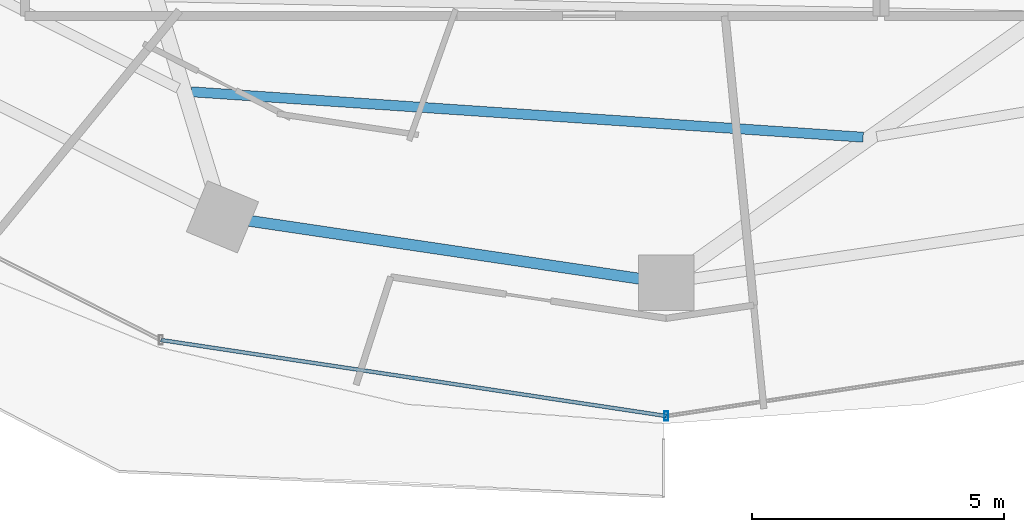
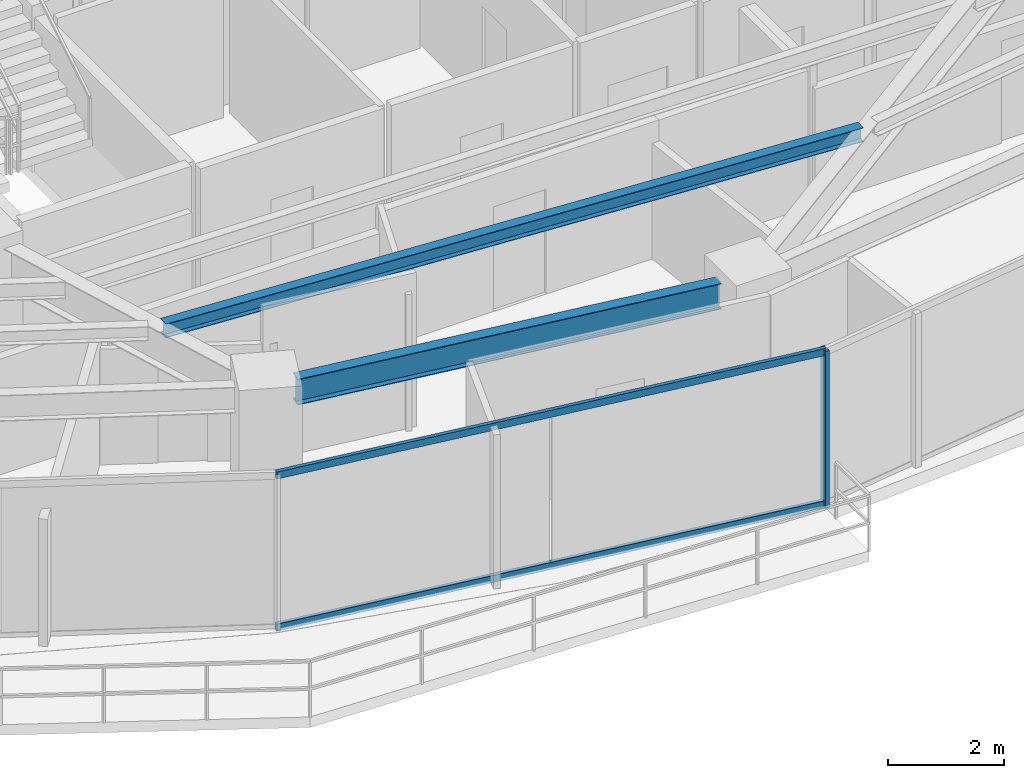
# One storey, part 5 of 29: 3 members, 2 beams, 1 element without a shape of its own.
"""IFC4 building model written with IfcOpenShell, lengths in metres."""

from ifc_helpers import new_model, si_unit, direction, frame, origin, origin_2d, place, context, subcontext, project, spatial, hollow_rectangle, i_section, extrude, material, material_profile, profile_set, type_object, element, aggregate, save


model = new_model("IFC4")

# Units and contexts
model_context = context("Model", 3, precision=1e-05, world=origin(), true_north=direction((0.0, 1.0)))
body_context = subcontext(model_context, "Body", "Model", "MODEL_VIEW")
ifc_project = project(units=[si_unit("LENGTHUNIT", "METRE"), si_unit("AREAUNIT", "SQUARE_METRE"), si_unit("VOLUMEUNIT", "CUBIC_METRE"), si_unit("PLANEANGLEUNIT", "RADIAN"), si_unit("MASSUNIT", "GRAM", prefix="KILO")], contexts=[model_context])

# Site, building, storey
site_placement = place(None, origin())
site = spatial("IfcSite", under=ifc_project, at=site_placement, CompositionType="ELEMENT")
building_placement = place(site_placement, origin())
building = spatial("IfcBuilding", under=site, at=building_placement, Name="Vorneva Point Tower", CompositionType="ELEMENT")
storey_placement = place(building_placement, frame((0.0, 0.0, 117.300048828125)))
storey = spatial("IfcBuildingStorey", under=building, at=storey_placement, Name="L31", CompositionType="ELEMENT", Elevation=117.300048828125)

# Beams
ifc_material_1 = material(Name="Steel S355", Category="steel")
ifc_material_profile_1 = material_profile(ifc_material_1, i_section(OverallWidth=0.199951171875, OverallDepth=0.291015625, WebThickness=0.008056640625, FlangeThickness=0.010986328125, at=origin_2d()), Name="30Sh1")
ifc_profile_set_1 = profile_set([ifc_material_profile_1], Name="Steel S355")
beam_type_1 = type_object("IfcBeamType", Name="BM-SEC-30Sh1", PredefinedType="BEAM", material=ifc_profile_set_1)
beam_1_placement = place(storey_placement, frame((28.5576171875, 12.594970703125, 3.094482421875), z_axis=(0.997721682044, -0.067464399347, 0.0), x_axis=(0.067464399347, 0.997721682044, 0.0)))
element("IfcBeam", 1, at=beam_1_placement, inside=storey, type_object=beam_type_1, Name="L31 Secondary Floor Beam 1.12", PredefinedType="BEAM", context=body_context, shape_type="SweptSolid", body=[
    extrude(i_section(OverallWidth=0.199951171875, OverallDepth=0.291015625, WebThickness=0.008056640625, FlangeThickness=0.010986328125, at=origin_2d()), origin(), (0.0, 0.0, 1.0), 13.385986328125),
])
ifc_material_profile_2 = material_profile(ifc_material_1, i_section(OverallWidth=0.219970703125, OverallDepth=0.54296875, WebThickness=0.009521484375, FlangeThickness=0.013427734375, at=origin_2d()), Name="55B1")
ifc_profile_set_2 = profile_set([ifc_material_profile_2], Name="Steel S355")
beam_type_2 = type_object("IfcBeamType", Name="BM-SPN-55B1", PredefinedType="SPANDREL", material=ifc_profile_set_2)
beam_2_placement = place(storey_placement, frame((29.708251953125, 10.03076171875, 2.968505859375), z_axis=(0.989164507783, -0.146811363806, 0.0), x_axis=(0.146811363806, 0.989164507783, 0.0)))
element("IfcBeam", 2, at=beam_2_placement, inside=storey, type_object=beam_type_2, Name="L31 Perimeter Spandrel Ring Beam 12", PredefinedType="SPANDREL", context=body_context, shape_type="SweptSolid", body=[
    extrude(i_section(OverallWidth=0.219970703125, OverallDepth=0.54296875, WebThickness=0.009521484375, FlangeThickness=0.013427734375, at=origin_2d()), origin(), (0.0, 0.0, 1.0), 7.847412109375),
])

# Curtain wall, members
ifc_material_2 = material(Name="Pale anodised aluminium", Category="aluminium")
curtain_wall_type = type_object("IfcCurtainWallType", Name="CW-HTL-SYS", PredefinedType="NOTDEFINED", material=ifc_material_2)
curtain_wall_placement = place(storey_placement, origin())
curtain_wall = element("IfcCurtainWall", 3, at=curtain_wall_placement, inside=storey, type_object=curtain_wall_type, Name="L31 Unitised Curtain Wall CW-L31-R03", PredefinedType="NOTDEFINED")
ifc_material_profile_3 = material_profile(ifc_material_2, hollow_rectangle(XDim=0.074951171875, YDim=0.179931640625, WallThickness=0.00390625, at=origin_2d()), Name="AL-MUL 180x75x4")
ifc_profile_set_3 = profile_set([ifc_material_profile_3], Name="Pale anodised aluminium")
member_type_1 = type_object("IfcMemberType", Name="CW-MUL-180", PredefinedType="MULLION", material=ifc_profile_set_3)
member_1_placement = place(storey_placement, frame((38.0, 6.14990234375, -0.0400390625), z_axis=(0.0, 0.0, 1.0), x_axis=(1.0, 0.0, 0.0)))
member_1 = element("IfcMember", 4, at=member_1_placement, type_object=member_type_1, Name="CW-L31-R03 Mullion 03", PredefinedType="MULLION", context=body_context, shape_type="SweptSolid", body=[
    extrude(hollow_rectangle(XDim=0.074951171875, YDim=0.179931640625, WallThickness=0.00390625, at=origin_2d()), origin(), (0.0, 0.0, 1.0), 3.31005859375),
])
ifc_material_profile_4 = material_profile(ifc_material_2, hollow_rectangle(XDim=0.074951171875, YDim=0.14990234375, WallThickness=0.00390625, at=origin_2d()), Name="AL-TRN 150x75x4")
ifc_profile_set_4 = profile_set([ifc_material_profile_4], Name="Pale anodised aluminium")
member_type_2 = type_object("IfcMemberType", Name="CW-TRN-150", PredefinedType="USERDEFINED", material=ifc_profile_set_4)
member_2_placement = place(storey_placement, frame((27.95458984375, 7.660888671875, 0.02001953125), z_axis=(0.988875982167, -0.148742367512, 0.0), x_axis=(0.148742367512, 0.988875982167, 0.0)))
member_2 = element("IfcMember", 5, at=member_2_placement, type_object=member_type_2, Name="CW-L31-R03 Transom 02.1", ObjectType="TRANSOM", PredefinedType="USERDEFINED", context=body_context, shape_type="SweptSolid", body=[
    extrude(hollow_rectangle(XDim=0.074951171875, YDim=0.14990234375, WallThickness=0.00390625, at=origin_2d()), origin(), (0.0, 0.0, 1.0), 10.158447265625),
])
member_3_placement = place(storey_placement, frame((27.95458984375, 7.660888671875, 3.219970703125), z_axis=(0.988875982167, -0.148742367512, 0.0), x_axis=(0.148742367512, 0.988875982167, 0.0)))
member_3 = element("IfcMember", 6, at=member_3_placement, type_object=member_type_2, Name="CW-L31-R03 Transom 02.2", ObjectType="TRANSOM", PredefinedType="USERDEFINED", context=body_context, shape_type="SweptSolid", body=[
    extrude(hollow_rectangle(XDim=0.074951171875, YDim=0.14990234375, WallThickness=0.00390625, at=origin_2d()), origin(), (0.0, 0.0, 1.0), 10.158447265625),
])
aggregate(curtain_wall, [member_1, member_2, member_3])

save(model, "model.ifc")
